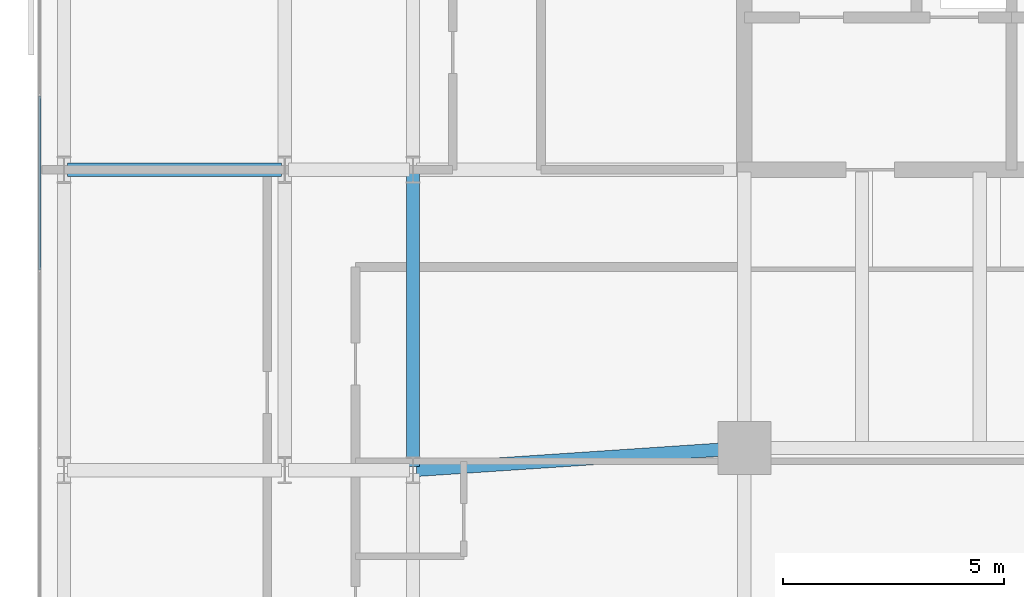
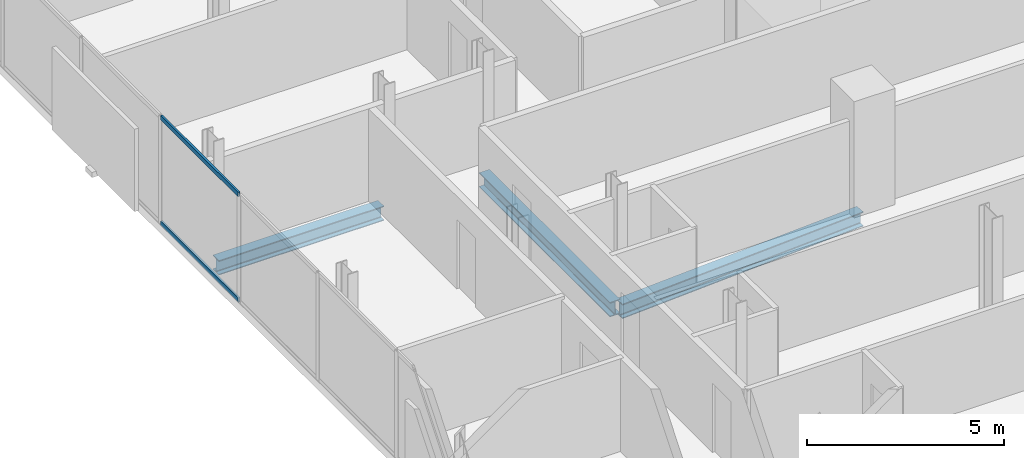
# One storey, part 10 of 32: 3 beams, 2 members, 1 element without a shape of its own.
"""IFC4 building model written with IfcOpenShell, lengths in metres."""

from ifc_helpers import new_model, si_unit, direction, frame, origin, origin_2d, place, context, subcontext, project, spatial, hollow_rectangle, i_section, extrude, material, layer, layer_set, material_profile, profile_set, type_object, element, aggregate, save


model = new_model("IFC4")

# Units and contexts
model_context = context("Model", 3, precision=1e-05, world=origin(), true_north=direction((0.0, 1.0)))
body_context = subcontext(model_context, "Body", "Model", "MODEL_VIEW")
ifc_project = project(units=[si_unit("LENGTHUNIT", "METRE"), si_unit("AREAUNIT", "SQUARE_METRE"), si_unit("VOLUMEUNIT", "CUBIC_METRE"), si_unit("PLANEANGLEUNIT", "RADIAN"), si_unit("MASSUNIT", "GRAM", prefix="KILO")], contexts=[model_context])

# Site, building, storey
site_placement = place(None, origin())
site = spatial("IfcSite", under=ifc_project, at=site_placement, CompositionType="ELEMENT")
building_placement = place(site_placement, origin())
building = spatial("IfcBuilding", under=site, at=building_placement, Name="Catumbela Crestline Tower", CompositionType="ELEMENT")
storey_placement = place(building_placement, frame((0.0, 0.0, 129.6)))
storey = spatial("IfcBuildingStorey", under=building, at=storey_placement, Name="L33", CompositionType="ELEMENT", Elevation=129.6)

# Beams
ifc_material_1 = material(Name="Structural steel S355J2", Category="steel")
ifc_material_profile_1 = material_profile(ifc_material_1, i_section(OverallWidth=0.3, OverallDepth=0.45, WebThickness=0.014, FlangeThickness=0.026, FilletRadius=0.027, at=origin_2d()), Name="HEB 450")
ifc_profile_set_1 = profile_set([ifc_material_profile_1], Name="Structural steel S355J2")
beam_type = type_object("IfcBeamType", Name="BG-HEB450", PredefinedType="BEAM", material=ifc_profile_set_1)
beam_1_placement = place(storey_placement, frame((8.5798, 24.0053, -0.485), z_axis=(0.997784796964, 0.066524423687, 0.0), x_axis=(-0.066524423687, 0.997784796964, 0.0)))
element("IfcBeam", 1, at=beam_1_placement, inside=storey, type_object=beam_type, Name="L33 Beam BM-L33-S03", PredefinedType="BEAM", context=body_context, shape_type="SweptSolid", body=[
    extrude(i_section(OverallWidth=0.3, OverallDepth=0.45, WebThickness=0.014, FlangeThickness=0.026, FilletRadius=0.027, at=origin_2d()), origin(), (0.0, 0.0, 1.0), 7.3567),
])
beam_2_placement = place(storey_placement, frame((0.68, 30.8, -0.485), z_axis=(1.0, 0.0, 0.0), x_axis=(0.0, 1.0, 0.0)))
element("IfcBeam", 2, at=beam_2_placement, inside=storey, type_object=beam_type, Name="L33 Beam BM-L33-M07", PredefinedType="BEAM", context=body_context, shape_type="SweptSolid", body=[
    extrude(i_section(OverallWidth=0.3, OverallDepth=0.45, WebThickness=0.014, FlangeThickness=0.026, FilletRadius=0.027, at=origin_2d()), origin(), (0.0, 0.0, 1.0), 4.84),
])
beam_3_placement = place(storey_placement, frame((8.5, 24.08, -0.485), z_axis=(0.0, 1.0, 0.0), x_axis=(-1.0, 0.0, 0.0)))
element("IfcBeam", 3, at=beam_3_placement, inside=storey, type_object=beam_type, Name="L33 Beam BM-L33-SN26", PredefinedType="BEAM", context=body_context, shape_type="SweptSolid", body=[
    extrude(i_section(OverallWidth=0.3, OverallDepth=0.45, WebThickness=0.014, FlangeThickness=0.026, FilletRadius=0.027, at=origin_2d()), origin(), (0.0, 0.0, 1.0), 6.64),
])

# Curtain wall, members
ifc_material_2 = material(Name="Aluminium alloy AW-6060-T66", Category="aluminium")
ifc_layer = layer(ifc_material_2, 0.18, Name="Aluminium alloy AW-6060-T66")
ifc_layer_set = layer_set([ifc_layer], Name="Aluminium alloy AW-6060-T66")
curtain_wall_type = type_object("IfcCurtainWallType", Name="CWU-Z2", PredefinedType="USERDEFINED", material=ifc_layer_set)
curtain_wall_placement = place(storey_placement, origin())
curtain_wall = element("IfcCurtainWall", 4, at=curtain_wall_placement, inside=storey, type_object=curtain_wall_type, Name="L33 Unitised Curtain Wall CW-L33-E9S1", ObjectType="UNITISED", PredefinedType="USERDEFINED")
ifc_material_profile_2 = material_profile(ifc_material_2, hollow_rectangle(XDim=0.06, YDim=0.14, WallThickness=0.004, at=origin_2d()), Name="ALU 140x60x4")
ifc_profile_set_2 = profile_set([ifc_material_profile_2], Name="Aluminium alloy AW-6060-T66")
member_type = type_object("IfcMemberType", Name="TRN-140X60", PredefinedType="USERDEFINED", material=ifc_profile_set_2)
member_1_placement = place(storey_placement, frame((0.05, 32.4675, 0.03), z_axis=(0.0, -1.0, 0.0), x_axis=(1.0, 0.0, 0.0)))
member_1 = element("IfcMember", 5, at=member_1_placement, type_object=member_type, Name="CWU-Z2 transom 4.1", ObjectType="TRANSOM", PredefinedType="USERDEFINED", context=body_context, shape_type="SweptSolid", body=[
    extrude(hollow_rectangle(XDim=0.06, YDim=0.14, WallThickness=0.004, at=origin_2d()), origin(), (0.0, 0.0, 1.0), 3.935),
])
member_2_placement = place(storey_placement, frame((0.05, 32.4675, 3.3), z_axis=(0.0, -1.0, 0.0), x_axis=(1.0, 0.0, 0.0)))
member_2 = element("IfcMember", 6, at=member_2_placement, type_object=member_type, Name="CWU-Z2 transom 4.2", ObjectType="TRANSOM", PredefinedType="USERDEFINED", context=body_context, shape_type="SweptSolid", body=[
    extrude(hollow_rectangle(XDim=0.06, YDim=0.14, WallThickness=0.004, at=origin_2d()), origin(), (0.0, 0.0, 1.0), 3.935),
])
aggregate(curtain_wall, [member_1, member_2])

save(model, "model.ifc")
